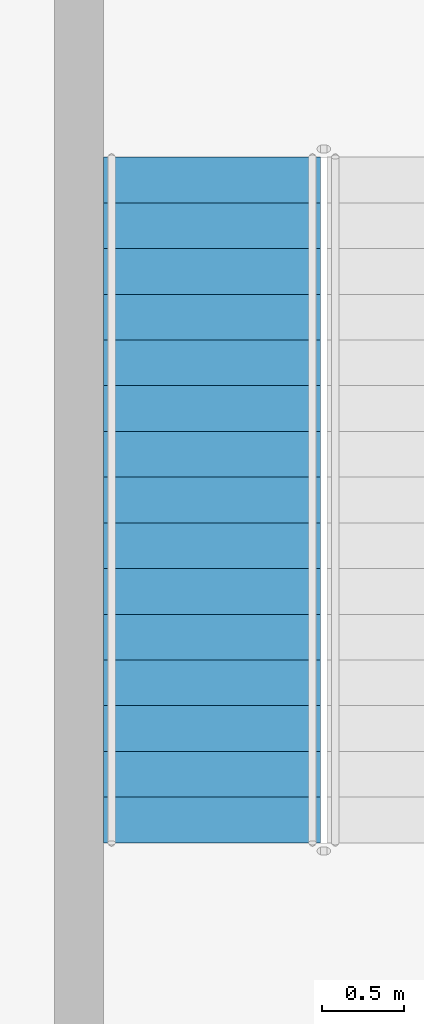
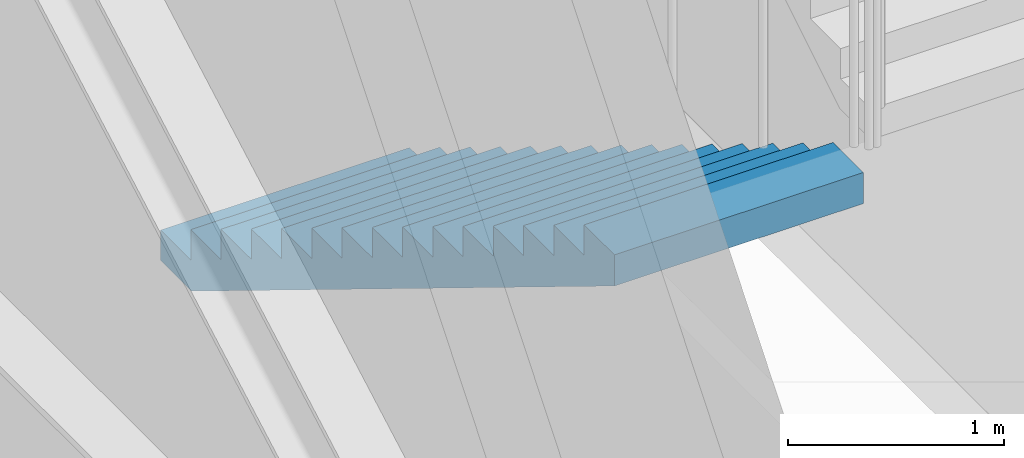
# One storey, part 8 of 18: 1 stair flight, 1 element without a shape of its own.
"""IFC4 building model written with IfcOpenShell, lengths in metres."""

from ifc_helpers import new_model, si_unit, direction, frame, origin, place, context, subcontext, project, spatial, triangles, source, transform, mapped, material, type_object, element, aggregate, save


model = new_model("IFC4")

# Units and contexts
model_context = context("Model", 3, precision=1e-05, world=origin(), true_north=direction((0.0, 1.0)))
body_context = subcontext(model_context, "Body", "Model", "MODEL_VIEW")
ifc_project = project(units=[si_unit("LENGTHUNIT", "METRE"), si_unit("AREAUNIT", "SQUARE_METRE"), si_unit("VOLUMEUNIT", "CUBIC_METRE"), si_unit("PLANEANGLEUNIT", "RADIAN"), si_unit("MASSUNIT", "GRAM", prefix="KILO")], contexts=[model_context])

# Site, building, storey
site_placement = place(None, origin())
site = spatial("IfcSite", under=ifc_project, at=site_placement, CompositionType="ELEMENT")
building_placement = place(site_placement, origin())
building = spatial("IfcBuilding", under=site, at=building_placement, Name="Ogive Portal Towers", CompositionType="ELEMENT")
storey_placement = place(building_placement, frame((0.0, 0.0, 190.300048828125)))
storey = spatial("IfcBuildingStorey", under=building, at=storey_placement, Name="L47", CompositionType="ELEMENT", Elevation=190.300048828125)

# Stair, stair flight
ifc_material = material(Name="Concrete C40/50", Category="concrete")
stair_type = type_object("IfcStairType", Name="INT-STAIR", PredefinedType="HALF_TURN_STAIR", material=ifc_material)
stair_placement = place(storey_placement, origin())
stair = element("IfcStair", 1, at=stair_placement, inside=storey, type_object=stair_type, Name="L47 Exit Stair ST-A4", PredefinedType="HALF_TURN_STAIR")
stair_flight_type = type_object("IfcStairFlightType", Name="INT-FLIGHT", PredefinedType="STRAIGHT", material=ifc_material)
shared_shape = source(origin(), body_context, "Body", "Tessellation", [
    triangles([(0.0, -0.6650390625, 0.0), (0.0, -0.384765625, 0.0), (0.0, -0.197021484375, 0.0), (0.0, -0.0830078125, 0.0), (0.0, -0.024658203125, 0.0), (0.0, -0.003173828125, 0.0), (0.0, 0.0, 0.0), (0.0, 0.003173828125, 0.0), (0.0, 0.024658203125, 0.0), (0.0, 0.0830078125, 0.0), (0.0, 0.197021484375, 0.0), (0.0, 0.384765625, 0.0), (0.0, 0.6650390625, 0.0), (0.0, -0.6650390625, 0.171875), (0.0, -0.384765625, 0.171875), (0.0, -0.197021484375, 0.171875), (0.0, -0.0830078125, 0.171875), (0.0, -0.024658203125, 0.171875), (0.0, -0.003173828125, 0.171875), (0.0, 0.0, 0.171875), (0.0, 0.003173828125, 0.171875), (0.0, 0.024658203125, 0.171875), (0.0, 0.0830078125, 0.171875), (0.0, 0.197021484375, 0.171875), (0.0, 0.384765625, 0.171875), (0.0, 0.6650390625, 0.171875), (0.280029296875, -0.6650390625, 0.171875), (0.280029296875, -0.384765625, 0.171875), (0.280029296875, -0.197021484375, 0.171875), (0.280029296875, -0.0830078125, 0.171875), (0.280029296875, -0.024658203125, 0.171875), (0.280029296875, -0.003173828125, 0.171875), (0.280029296875, 0.0, 0.171875), (0.280029296875, 0.003173828125, 0.171875), (0.280029296875, 0.024658203125, 0.171875), (0.280029296875, 0.0830078125, 0.171875), (0.280029296875, 0.197021484375, 0.171875), (0.280029296875, 0.384765625, 0.171875), (0.280029296875, 0.6650390625, 0.171875), (0.280029296875, -0.6650390625, 0.34375), (0.280029296875, -0.384765625, 0.34375), (0.280029296875, -0.197021484375, 0.34375), (0.280029296875, -0.0830078125, 0.34375), (0.280029296875, -0.024658203125, 0.34375), (0.280029296875, -0.003173828125, 0.34375), (0.280029296875, 0.0, 0.34375), (0.280029296875, 0.003173828125, 0.34375), (0.280029296875, 0.024658203125, 0.34375), (0.280029296875, 0.0830078125, 0.34375), (0.280029296875, 0.197021484375, 0.34375), (0.280029296875, 0.384765625, 0.34375), (0.280029296875, 0.6650390625, 0.34375), (0.56005859375, -0.6650390625, 0.34375), (0.56005859375, -0.384765625, 0.34375), (0.56005859375, -0.197021484375, 0.34375), (0.56005859375, -0.0830078125, 0.34375), (0.56005859375, -0.024658203125, 0.34375), (0.56005859375, -0.003173828125, 0.34375), (0.56005859375, 0.0, 0.34375), (0.56005859375, 0.003173828125, 0.34375), (0.56005859375, 0.024658203125, 0.34375), (0.56005859375, 0.0830078125, 0.34375), (0.56005859375, 0.197021484375, 0.34375), (0.56005859375, 0.384765625, 0.34375), (0.56005859375, 0.6650390625, 0.34375), (0.56005859375, -0.6650390625, 0.515625), (0.56005859375, -0.384765625, 0.515625), (0.56005859375, -0.197021484375, 0.515625), (0.56005859375, -0.0830078125, 0.515625), (0.56005859375, -0.024658203125, 0.515625), (0.56005859375, -0.003173828125, 0.515625), (0.56005859375, 0.0, 0.515625), (0.56005859375, 0.003173828125, 0.515625), (0.56005859375, 0.024658203125, 0.515625), (0.56005859375, 0.0830078125, 0.515625), (0.56005859375, 0.197021484375, 0.515625), (0.56005859375, 0.384765625, 0.515625), (0.56005859375, 0.6650390625, 0.515625), (0.840087890625, -0.6650390625, 0.515625), (0.840087890625, -0.384765625, 0.515625), (0.840087890625, -0.197021484375, 0.515625), (0.840087890625, -0.0830078125, 0.515625), (0.840087890625, -0.024658203125, 0.515625), (0.840087890625, -0.003173828125, 0.515625), (0.840087890625, 0.0, 0.515625), (0.840087890625, 0.003173828125, 0.515625), (0.840087890625, 0.024658203125, 0.515625), (0.840087890625, 0.0830078125, 0.515625), (0.840087890625, 0.197021484375, 0.515625), (0.840087890625, 0.384765625, 0.515625), (0.840087890625, 0.6650390625, 0.515625), (0.840087890625, -0.6650390625, 0.6875), (0.840087890625, -0.384765625, 0.6875), (0.840087890625, -0.197021484375, 0.6875), (0.840087890625, -0.0830078125, 0.6875), (0.840087890625, -0.024658203125, 0.6875), (0.840087890625, -0.003173828125, 0.6875), (0.840087890625, 0.0, 0.6875), (0.840087890625, 0.003173828125, 0.6875), (0.840087890625, 0.024658203125, 0.6875), (0.840087890625, 0.0830078125, 0.6875), (0.840087890625, 0.197021484375, 0.6875), (0.840087890625, 0.384765625, 0.6875), (0.840087890625, 0.6650390625, 0.6875), (1.1201171875, -0.6650390625, 0.6875), (1.1201171875, -0.384765625, 0.6875), (1.1201171875, -0.197021484375, 0.6875), (1.1201171875, -0.0830078125, 0.6875), (1.1201171875, -0.024658203125, 0.6875), (1.1201171875, -0.003173828125, 0.6875), (1.1201171875, 0.0, 0.6875), (1.1201171875, 0.003173828125, 0.6875), (1.1201171875, 0.024658203125, 0.6875), (1.1201171875, 0.0830078125, 0.6875), (1.1201171875, 0.197021484375, 0.6875), (1.1201171875, 0.384765625, 0.6875), (1.1201171875, 0.6650390625, 0.6875), (1.1201171875, -0.6650390625, 0.859375), (1.1201171875, -0.384765625, 0.859375), (1.1201171875, -0.197021484375, 0.859375), (1.1201171875, -0.0830078125, 0.859375), (1.1201171875, -0.024658203125, 0.859375), (1.1201171875, -0.003173828125, 0.859375), (1.1201171875, 0.0, 0.859375), (1.1201171875, 0.003173828125, 0.859375), (1.1201171875, 0.024658203125, 0.859375), (1.1201171875, 0.0830078125, 0.859375), (1.1201171875, 0.197021484375, 0.859375), (1.1201171875, 0.384765625, 0.859375), (1.1201171875, 0.6650390625, 0.859375), (1.39990234375, -0.6650390625, 0.859375), (1.39990234375, -0.384765625, 0.859375), (1.39990234375, -0.197021484375, 0.859375), (1.39990234375, -0.0830078125, 0.859375), (1.39990234375, -0.024658203125, 0.859375), (1.39990234375, -0.003173828125, 0.859375), (1.39990234375, 0.0, 0.859375), (1.39990234375, 0.003173828125, 0.859375), (1.39990234375, 0.024658203125, 0.859375), (1.39990234375, 0.0830078125, 0.859375), (1.39990234375, 0.197021484375, 0.859375), (1.39990234375, 0.384765625, 0.859375), (1.39990234375, 0.6650390625, 0.859375), (1.39990234375, -0.6650390625, 1.03125), (1.39990234375, -0.384765625, 1.03125), (1.39990234375, -0.197021484375, 1.03125), (1.39990234375, -0.0830078125, 1.03125), (1.39990234375, -0.024658203125, 1.03125), (1.39990234375, -0.003173828125, 1.03125), (1.39990234375, 0.0, 1.03125), (1.39990234375, 0.003173828125, 1.03125), (1.39990234375, 0.024658203125, 1.03125), (1.39990234375, 0.0830078125, 1.03125), (1.39990234375, 0.197021484375, 1.03125), (1.39990234375, 0.384765625, 1.03125), (1.39990234375, 0.6650390625, 1.03125), (1.679931640625, -0.6650390625, 1.03125), (1.679931640625, -0.384765625, 1.03125), (1.679931640625, -0.197021484375, 1.03125), (1.679931640625, -0.0830078125, 1.03125), (1.679931640625, -0.024658203125, 1.03125), (1.679931640625, -0.003173828125, 1.03125), (1.679931640625, 0.0, 1.03125), (1.679931640625, 0.003173828125, 1.03125), (1.679931640625, 0.024658203125, 1.03125), (1.679931640625, 0.0830078125, 1.03125), (1.679931640625, 0.197021484375, 1.03125), (1.679931640625, 0.384765625, 1.03125), (1.679931640625, 0.6650390625, 1.03125), (1.679931640625, -0.6650390625, 1.203125), (1.679931640625, -0.384765625, 1.203125), (1.679931640625, -0.197021484375, 1.203125), (1.679931640625, -0.0830078125, 1.203125), (1.679931640625, -0.024658203125, 1.203125), (1.679931640625, -0.003173828125, 1.203125), (1.679931640625, 0.0, 1.203125), (1.679931640625, 0.003173828125, 1.203125), (1.679931640625, 0.024658203125, 1.203125), (1.679931640625, 0.0830078125, 1.203125), (1.679931640625, 0.197021484375, 1.203125), (1.679931640625, 0.384765625, 1.203125), (1.679931640625, 0.6650390625, 1.203125), (1.9599609375, -0.6650390625, 1.203125), (1.9599609375, -0.384765625, 1.203125), (1.9599609375, -0.197021484375, 1.203125), (1.9599609375, -0.0830078125, 1.203125), (1.9599609375, -0.024658203125, 1.203125), (1.9599609375, -0.003173828125, 1.203125), (1.9599609375, 0.0, 1.203125), (1.9599609375, 0.003173828125, 1.203125), (1.9599609375, 0.024658203125, 1.203125), (1.9599609375, 0.0830078125, 1.203125), (1.9599609375, 0.197021484375, 1.203125), (1.9599609375, 0.384765625, 1.203125), (1.9599609375, 0.6650390625, 1.203125), (1.9599609375, -0.6650390625, 1.375), (1.9599609375, -0.384765625, 1.375), (1.9599609375, -0.197021484375, 1.375), (1.9599609375, -0.0830078125, 1.375), (1.9599609375, -0.024658203125, 1.375), (1.9599609375, -0.003173828125, 1.375), (1.9599609375, 0.0, 1.375), (1.9599609375, 0.003173828125, 1.375), (1.9599609375, 0.024658203125, 1.375), (1.9599609375, 0.0830078125, 1.375), (1.9599609375, 0.197021484375, 1.375), (1.9599609375, 0.384765625, 1.375), (1.9599609375, 0.6650390625, 1.375), (2.239990234375, -0.6650390625, 1.375), (2.239990234375, -0.384765625, 1.375), (2.239990234375, -0.197021484375, 1.375), (2.239990234375, -0.0830078125, 1.375), (2.239990234375, -0.024658203125, 1.375), (2.239990234375, -0.003173828125, 1.375), (2.239990234375, 0.0, 1.375), (2.239990234375, 0.003173828125, 1.375), (2.239990234375, 0.024658203125, 1.375), (2.239990234375, 0.0830078125, 1.375), (2.239990234375, 0.197021484375, 1.375), (2.239990234375, 0.384765625, 1.375), (2.239990234375, 0.6650390625, 1.375), (2.239990234375, -0.6650390625, 1.546875), (2.239990234375, -0.384765625, 1.546875), (2.239990234375, -0.197021484375, 1.546875), (2.239990234375, -0.0830078125, 1.546875), (2.239990234375, -0.024658203125, 1.546875), (2.239990234375, -0.003173828125, 1.546875), (2.239990234375, 0.0, 1.546875), (2.239990234375, 0.003173828125, 1.546875), (2.239990234375, 0.024658203125, 1.546875), (2.239990234375, 0.0830078125, 1.546875), (2.239990234375, 0.197021484375, 1.546875), (2.239990234375, 0.384765625, 1.546875), (2.239990234375, 0.6650390625, 1.546875), (2.52001953125, -0.6650390625, 1.546875), (2.52001953125, -0.384765625, 1.546875), (2.52001953125, -0.197021484375, 1.546875), (2.52001953125, -0.0830078125, 1.546875), (2.52001953125, -0.024658203125, 1.546875), (2.52001953125, -0.003173828125, 1.546875), (2.52001953125, 0.0, 1.546875), (2.52001953125, 0.003173828125, 1.546875), (2.52001953125, 0.024658203125, 1.546875), (2.52001953125, 0.0830078125, 1.546875), (2.52001953125, 0.197021484375, 1.546875), (2.52001953125, 0.384765625, 1.546875), (2.52001953125, 0.6650390625, 1.546875), (2.52001953125, -0.6650390625, 1.71875), (2.52001953125, -0.384765625, 1.71875), (2.52001953125, -0.197021484375, 1.71875), (2.52001953125, -0.0830078125, 1.71875), (2.52001953125, -0.024658203125, 1.71875), (2.52001953125, -0.003173828125, 1.71875), (2.52001953125, 0.0, 1.71875), (2.52001953125, 0.003173828125, 1.71875), (2.52001953125, 0.024658203125, 1.71875), (2.52001953125, 0.0830078125, 1.71875), (2.52001953125, 0.197021484375, 1.71875), (2.52001953125, 0.384765625, 1.71875), (2.52001953125, 0.6650390625, 1.71875), (2.800048828125, -0.6650390625, 1.71875), (2.800048828125, -0.384765625, 1.71875), (2.800048828125, -0.197021484375, 1.71875), (2.800048828125, -0.0830078125, 1.71875), (2.800048828125, -0.024658203125, 1.71875), (2.800048828125, -0.003173828125, 1.71875), (2.800048828125, 0.0, 1.71875), (2.800048828125, 0.003173828125, 1.71875), (2.800048828125, 0.024658203125, 1.71875), (2.800048828125, 0.0830078125, 1.71875), (2.800048828125, 0.197021484375, 1.71875), (2.800048828125, 0.384765625, 1.71875), (2.800048828125, 0.6650390625, 1.71875), (2.800048828125, -0.6650390625, 1.890625), (2.800048828125, -0.384765625, 1.890625), (2.800048828125, -0.197021484375, 1.890625), (2.800048828125, -0.0830078125, 1.890625), (2.800048828125, -0.024658203125, 1.890625), (2.800048828125, -0.003173828125, 1.890625), (2.800048828125, 0.0, 1.890625), (2.800048828125, 0.003173828125, 1.890625), (2.800048828125, 0.024658203125, 1.890625), (2.800048828125, 0.0830078125, 1.890625), (2.800048828125, 0.197021484375, 1.890625), (2.800048828125, 0.384765625, 1.890625), (2.800048828125, 0.6650390625, 1.890625), (3.080078125, -0.6650390625, 1.890625), (3.080078125, -0.384765625, 1.890625), (3.080078125, -0.197021484375, 1.890625), (3.080078125, -0.0830078125, 1.890625), (3.080078125, -0.024658203125, 1.890625), (3.080078125, -0.003173828125, 1.890625), (3.080078125, 0.0, 1.890625), (3.080078125, 0.003173828125, 1.890625), (3.080078125, 0.024658203125, 1.890625), (3.080078125, 0.0830078125, 1.890625), (3.080078125, 0.197021484375, 1.890625), (3.080078125, 0.384765625, 1.890625), (3.080078125, 0.6650390625, 1.890625), (3.080078125, -0.6650390625, 2.0625), (3.080078125, -0.384765625, 2.0625), (3.080078125, -0.197021484375, 2.0625), (3.080078125, -0.0830078125, 2.0625), (3.080078125, -0.024658203125, 2.0625), (3.080078125, -0.003173828125, 2.0625), (3.080078125, 0.0, 2.0625), (3.080078125, 0.003173828125, 2.0625), (3.080078125, 0.024658203125, 2.0625), (3.080078125, 0.0830078125, 2.0625), (3.080078125, 0.197021484375, 2.0625), (3.080078125, 0.384765625, 2.0625), (3.080078125, 0.6650390625, 2.0625), (3.360107421875, -0.6650390625, 2.0625), (3.360107421875, -0.384765625, 2.0625), (3.360107421875, -0.197021484375, 2.0625), (3.360107421875, -0.0830078125, 2.0625), (3.360107421875, -0.024658203125, 2.0625), (3.360107421875, -0.003173828125, 2.0625), (3.360107421875, 0.0, 2.0625), (3.360107421875, 0.003173828125, 2.0625), (3.360107421875, 0.024658203125, 2.0625), (3.360107421875, 0.0830078125, 2.0625), (3.360107421875, 0.197021484375, 2.0625), (3.360107421875, 0.384765625, 2.0625), (3.360107421875, 0.6650390625, 2.0625), (3.360107421875, -0.6650390625, 2.234375), (3.360107421875, -0.384765625, 2.234375), (3.360107421875, -0.197021484375, 2.234375), (3.360107421875, -0.0830078125, 2.234375), (3.360107421875, -0.024658203125, 2.234375), (3.360107421875, -0.003173828125, 2.234375), (3.360107421875, 0.0, 2.234375), (3.360107421875, 0.003173828125, 2.234375), (3.360107421875, 0.024658203125, 2.234375), (3.360107421875, 0.0830078125, 2.234375), (3.360107421875, 0.197021484375, 2.234375), (3.360107421875, 0.384765625, 2.234375), (3.360107421875, 0.6650390625, 2.234375), (3.639892578125, -0.6650390625, 2.234375), (3.639892578125, -0.384765625, 2.234375), (3.639892578125, -0.197021484375, 2.234375), (3.639892578125, -0.0830078125, 2.234375), (3.639892578125, -0.024658203125, 2.234375), (3.639892578125, -0.003173828125, 2.234375), (3.639892578125, 0.0, 2.234375), (3.639892578125, 0.003173828125, 2.234375), (3.639892578125, 0.024658203125, 2.234375), (3.639892578125, 0.0830078125, 2.234375), (3.639892578125, 0.197021484375, 2.234375), (3.639892578125, 0.384765625, 2.234375), (3.639892578125, 0.6650390625, 2.234375), (3.639892578125, -0.6650390625, 2.40625), (3.639892578125, -0.384765625, 2.40625), (3.639892578125, -0.197021484375, 2.40625), (3.639892578125, -0.0830078125, 2.40625), (3.639892578125, -0.024658203125, 2.40625), (3.639892578125, -0.003173828125, 2.40625), (3.639892578125, 0.0, 2.40625), (3.639892578125, 0.003173828125, 2.40625), (3.639892578125, 0.024658203125, 2.40625), (3.639892578125, 0.0830078125, 2.40625), (3.639892578125, 0.197021484375, 2.40625), (3.639892578125, 0.384765625, 2.40625), (3.639892578125, 0.6650390625, 2.40625), (3.919921875, -0.6650390625, 2.40625), (3.919921875, -0.384765625, 2.40625), (3.919921875, -0.197021484375, 2.40625), (3.919921875, -0.0830078125, 2.40625), (3.919921875, -0.024658203125, 2.40625), (3.919921875, -0.003173828125, 2.40625), (3.919921875, 0.0, 2.40625), (3.919921875, 0.003173828125, 2.40625), (3.919921875, 0.024658203125, 2.40625), (3.919921875, 0.0830078125, 2.40625), (3.919921875, 0.197021484375, 2.40625), (3.919921875, 0.384765625, 2.40625), (3.919921875, 0.6650390625, 2.40625), (3.919921875, -0.6650390625, 2.578125), (3.919921875, -0.384765625, 2.578125), (3.919921875, -0.197021484375, 2.578125), (3.919921875, -0.0830078125, 2.578125), (3.919921875, -0.024658203125, 2.578125), (3.919921875, -0.003173828125, 2.578125), (3.919921875, 0.0, 2.578125), (3.919921875, 0.003173828125, 2.578125), (3.919921875, 0.024658203125, 2.578125), (3.919921875, 0.0830078125, 2.578125), (3.919921875, 0.197021484375, 2.578125), (3.919921875, 0.384765625, 2.578125), (3.919921875, 0.6650390625, 2.578125), (4.199951171875, -0.6650390625, 2.578125), (4.199951171875, -0.384765625, 2.578125), (4.199951171875, -0.197021484375, 2.578125), (4.199951171875, -0.0830078125, 2.578125), (4.199951171875, -0.024658203125, 2.578125), (4.199951171875, -0.003173828125, 2.578125), (4.199951171875, 0.0, 2.578125), (4.199951171875, 0.003173828125, 2.578125), (4.199951171875, 0.024658203125, 2.578125), (4.199951171875, 0.0830078125, 2.578125), (4.199951171875, 0.197021484375, 2.578125), (4.199951171875, 0.384765625, 2.578125), (4.199951171875, 0.6650390625, 2.578125), (4.199951171875, -0.6650390625, 2.40234375), (4.199951171875, -0.384765625, 2.40234375), (4.199951171875, -0.197021484375, 2.40234375), (4.199951171875, -0.0830078125, 2.40234375), (4.199951171875, -0.024658203125, 2.40234375), (4.199951171875, -0.003173828125, 2.40234375), (4.199951171875, 0.0, 2.40234375), (4.199951171875, 0.003173828125, 2.40234375), (4.199951171875, 0.024658203125, 2.40234375), (4.199951171875, 0.0830078125, 2.40234375), (4.199951171875, 0.197021484375, 2.40234375), (4.199951171875, 0.384765625, 2.40234375), (4.199951171875, 0.6650390625, 2.40234375), (0.28662109375, -0.6650390625, 0.0), (0.28662109375, -0.384765625, 0.0), (0.28662109375, -0.197021484375, 0.0), (0.28662109375, -0.0830078125, 0.0), (0.28662109375, -0.024658203125, 0.0), (0.28662109375, -0.003173828125, 0.0), (0.28662109375, 0.0, 0.0), (0.28662109375, 0.003173828125, 0.0), (0.28662109375, 0.024658203125, 0.0), (0.28662109375, 0.0830078125, 0.0), (0.28662109375, 0.197021484375, 0.0), (0.28662109375, 0.384765625, 0.0), (0.28662109375, 0.6650390625, 0.0)], [[1, 14, 15], [1, 15, 2], [2, 15, 16], [2, 16, 3], [3, 16, 17], [3, 17, 4], [4, 17, 18], [4, 18, 5], [5, 18, 19], [5, 19, 6], [6, 19, 20], [6, 20, 7], [7, 20, 21], [7, 21, 8], [8, 21, 22], [8, 22, 9], [9, 22, 23], [9, 23, 10], [10, 23, 24], [10, 24, 11], [11, 24, 25], [11, 25, 12], [12, 25, 26], [12, 26, 13], [14, 27, 28], [14, 28, 15], [15, 28, 29], [15, 29, 16], [16, 29, 30], [16, 30, 17], [17, 30, 31], [17, 31, 18], [18, 31, 32], [18, 32, 19], [19, 32, 33], [19, 33, 20], [20, 33, 34], [20, 34, 21], [21, 34, 35], [21, 35, 22], [22, 35, 36], [22, 36, 23], [23, 36, 37], [23, 37, 24], [24, 37, 38], [24, 38, 25], [25, 38, 39], [25, 39, 26], [27, 40, 41], [27, 41, 28], [28, 41, 42], [28, 42, 29], [29, 42, 43], [29, 43, 30], [30, 43, 44], [30, 44, 31], [31, 44, 45], [31, 45, 32], [32, 45, 46], [32, 46, 33], [33, 46, 47], [33, 47, 34], [34, 47, 48], [34, 48, 35], [35, 48, 49], [35, 49, 36], [36, 49, 50], [36, 50, 37], [37, 50, 51], [37, 51, 38], [38, 51, 52], [38, 52, 39], [40, 53, 54], [40, 54, 41], [41, 54, 55], [41, 55, 42], [42, 55, 56], [42, 56, 43], [43, 56, 57], [43, 57, 44], [44, 57, 58], [44, 58, 45], [45, 58, 59], [45, 59, 46], [46, 59, 60], [46, 60, 47], [47, 60, 61], [47, 61, 48], [48, 61, 62], [48, 62, 49], [49, 62, 63], [49, 63, 50], [50, 63, 64], [50, 64, 51], [51, 64, 65], [51, 65, 52], [53, 66, 67], [53, 67, 54], [54, 67, 68], [54, 68, 55], [55, 68, 69], [55, 69, 56], [56, 69, 70], [56, 70, 57], [57, 70, 71], [57, 71, 58], [58, 71, 72], [58, 72, 59], [59, 72, 73], [59, 73, 60], [60, 73, 74], [60, 74, 61], [61, 74, 75], [61, 75, 62], [62, 75, 76], [62, 76, 63], [63, 76, 77], [63, 77, 64], [64, 77, 78], [64, 78, 65], [66, 79, 80], [66, 80, 67], [67, 80, 81], [67, 81, 68], [68, 81, 82], [68, 82, 69], [69, 82, 83], [69, 83, 70], [70, 83, 84], [70, 84, 71], [71, 84, 85], [71, 85, 72], [72, 85, 86], [72, 86, 73], [73, 86, 87], [73, 87, 74], [74, 87, 88], [74, 88, 75], [75, 88, 89], [75, 89, 76], [76, 89, 90], [76, 90, 77], [77, 90, 91], [77, 91, 78], [79, 92, 93], [79, 93, 80], [80, 93, 94], [80, 94, 81], [81, 94, 95], [81, 95, 82], [82, 95, 96], [82, 96, 83], [83, 96, 97], [83, 97, 84], [84, 97, 98], [84, 98, 85], [85, 98, 99], [85, 99, 86], [86, 99, 100], [86, 100, 87], [87, 100, 101], [87, 101, 88], [88, 101, 102], [88, 102, 89], [89, 102, 103], [89, 103, 90], [90, 103, 104], [90, 104, 91], [92, 105, 106], [92, 106, 93], [93, 106, 107], [93, 107, 94], [94, 107, 108], [94, 108, 95], [95, 108, 109], [95, 109, 96], [96, 109, 110], [96, 110, 97], [97, 110, 111], [97, 111, 98], [98, 111, 112], [98, 112, 99], [99, 112, 113], [99, 113, 100], [100, 113, 114], [100, 114, 101], [101, 114, 115], [101, 115, 102], [102, 115, 116], [102, 116, 103], [103, 116, 117], [103, 117, 104], [105, 118, 119], [105, 119, 106], [106, 119, 120], [106, 120, 107], [107, 120, 121], [107, 121, 108], [108, 121, 122], [108, 122, 109], [109, 122, 123], [109, 123, 110], [110, 123, 124], [110, 124, 111], [111, 124, 125], [111, 125, 112], [112, 125, 126], [112, 126, 113], [113, 126, 127], [113, 127, 114], [114, 127, 128], [114, 128, 115], [115, 128, 129], [115, 129, 116], [116, 129, 130], [116, 130, 117], [118, 131, 132], [118, 132, 119], [119, 132, 133], [119, 133, 120], [120, 133, 134], [120, 134, 121], [121, 134, 135], [121, 135, 122], [122, 135, 136], [122, 136, 123], [123, 136, 137], [123, 137, 124], [124, 137, 138], [124, 138, 125], [125, 138, 139], [125, 139, 126], [126, 139, 140], [126, 140, 127], [127, 140, 141], [127, 141, 128], [128, 141, 142], [128, 142, 129], [129, 142, 143], [129, 143, 130], [131, 144, 145], [131, 145, 132], [132, 145, 146], [132, 146, 133], [133, 146, 147], [133, 147, 134], [134, 147, 148], [134, 148, 135], [135, 148, 149], [135, 149, 136], [136, 149, 150], [136, 150, 137], [137, 150, 151], [137, 151, 138], [138, 151, 152], [138, 152, 139], [139, 152, 153], [139, 153, 140], [140, 153, 154], [140, 154, 141], [141, 154, 155], [141, 155, 142], [142, 155, 156], [142, 156, 143], [144, 157, 158], [144, 158, 145], [145, 158, 159], [145, 159, 146], [146, 159, 160], [146, 160, 147], [147, 160, 161], [147, 161, 148], [148, 161, 162], [148, 162, 149], [149, 162, 163], [149, 163, 150], [150, 163, 164], [150, 164, 151], [151, 164, 165], [151, 165, 152], [152, 165, 166], [152, 166, 153], [153, 166, 167], [153, 167, 154], [154, 167, 168], [154, 168, 155], [155, 168, 169], [155, 169, 156], [157, 170, 171], [157, 171, 158], [158, 171, 172], [158, 172, 159], [159, 172, 173], [159, 173, 160], [160, 173, 174], [160, 174, 161], [161, 174, 175], [161, 175, 162], [162, 175, 176], [162, 176, 163], [163, 176, 177], [163, 177, 164], [164, 177, 178], [164, 178, 165], [165, 178, 179], [165, 179, 166], [166, 179, 180], [166, 180, 167], [167, 180, 181], [167, 181, 168], [168, 181, 182], [168, 182, 169], [170, 183, 184], [170, 184, 171], [171, 184, 185], [171, 185, 172], [172, 185, 186], [172, 186, 173], [173, 186, 187], [173, 187, 174], [174, 187, 188], [174, 188, 175], [175, 188, 189], [175, 189, 176], [176, 189, 190], [176, 190, 177], [177, 190, 191], [177, 191, 178], [178, 191, 192], [178, 192, 179], [179, 192, 193], [179, 193, 180], [180, 193, 194], [180, 194, 181], [181, 194, 195], [181, 195, 182], [183, 196, 197], [183, 197, 184], [184, 197, 198], [184, 198, 185], [185, 198, 199], [185, 199, 186], [186, 199, 200], [186, 200, 187], [187, 200, 201], [187, 201, 188], [188, 201, 202], [188, 202, 189], [189, 202, 203], [189, 203, 190], [190, 203, 204], [190, 204, 191], [191, 204, 205], [191, 205, 192], [192, 205, 206], [192, 206, 193], [193, 206, 207], [193, 207, 194], [194, 207, 208], [194, 208, 195], [196, 209, 210], [196, 210, 197], [197, 210, 211], [197, 211, 198], [198, 211, 212], [198, 212, 199], [199, 212, 213], [199, 213, 200], [200, 213, 214], [200, 214, 201], [201, 214, 215], [201, 215, 202], [202, 215, 216], [202, 216, 203], [203, 216, 217], [203, 217, 204], [204, 217, 218], [204, 218, 205], [205, 218, 219], [205, 219, 206], [206, 219, 220], [206, 220, 207], [207, 220, 221], [207, 221, 208], [209, 222, 223], [209, 223, 210], [210, 223, 224], [210, 224, 211], [211, 224, 225], [211, 225, 212], [212, 225, 226], [212, 226, 213], [213, 226, 227], [213, 227, 214], [214, 227, 228], [214, 228, 215], [215, 228, 229], [215, 229, 216], [216, 229, 230], [216, 230, 217], [217, 230, 231], [217, 231, 218], [218, 231, 232], [218, 232, 219], [219, 232, 233], [219, 233, 220], [220, 233, 234], [220, 234, 221], [222, 235, 236], [222, 236, 223], [223, 236, 237], [223, 237, 224], [224, 237, 238], [224, 238, 225], [225, 238, 239], [225, 239, 226], [226, 239, 240], [226, 240, 227], [227, 240, 241], [227, 241, 228], [228, 241, 242], [228, 242, 229], [229, 242, 243], [229, 243, 230], [230, 243, 244], [230, 244, 231], [231, 244, 245], [231, 245, 232], [232, 245, 246], [232, 246, 233], [233, 246, 247], [233, 247, 234], [235, 248, 249], [235, 249, 236], [236, 249, 250], [236, 250, 237], [237, 250, 251], [237, 251, 238], [238, 251, 252], [238, 252, 239], [239, 252, 253], [239, 253, 240], [240, 253, 254], [240, 254, 241], [241, 254, 255], [241, 255, 242], [242, 255, 256], [242, 256, 243], [243, 256, 257], [243, 257, 244], [244, 257, 258], [244, 258, 245], [245, 258, 259], [245, 259, 246], [246, 259, 260], [246, 260, 247], [248, 261, 262], [248, 262, 249], [249, 262, 263], [249, 263, 250], [250, 263, 264], [250, 264, 251], [251, 264, 265], [251, 265, 252], [252, 265, 266], [252, 266, 253], [253, 266, 267], [253, 267, 254], [254, 267, 268], [254, 268, 255], [255, 268, 269], [255, 269, 256], [256, 269, 270], [256, 270, 257], [257, 270, 271], [257, 271, 258], [258, 271, 272], [258, 272, 259], [259, 272, 273], [259, 273, 260], [261, 274, 275], [261, 275, 262], [262, 275, 276], [262, 276, 263], [263, 276, 277], [263, 277, 264], [264, 277, 278], [264, 278, 265], [265, 278, 279], [265, 279, 266], [266, 279, 280], [266, 280, 267], [267, 280, 281], [267, 281, 268], [268, 281, 282], [268, 282, 269], [269, 282, 283], [269, 283, 270], [270, 283, 284], [270, 284, 271], [271, 284, 285], [271, 285, 272], [272, 285, 286], [272, 286, 273], [274, 287, 288], [274, 288, 275], [275, 288, 289], [275, 289, 276], [276, 289, 290], [276, 290, 277], [277, 290, 291], [277, 291, 278], [278, 291, 292], [278, 292, 279], [279, 292, 293], [279, 293, 280], [280, 293, 294], [280, 294, 281], [281, 294, 295], [281, 295, 282], [282, 295, 296], [282, 296, 283], [283, 296, 297], [283, 297, 284], [284, 297, 298], [284, 298, 285], [285, 298, 299], [285, 299, 286], [287, 300, 301], [287, 301, 288], [288, 301, 302], [288, 302, 289], [289, 302, 303], [289, 303, 290], [290, 303, 304], [290, 304, 291], [291, 304, 305], [291, 305, 292], [292, 305, 306], [292, 306, 293], [293, 306, 307], [293, 307, 294], [294, 307, 308], [294, 308, 295], [295, 308, 309], [295, 309, 296], [296, 309, 310], [296, 310, 297], [297, 310, 311], [297, 311, 298], [298, 311, 312], [298, 312, 299], [300, 313, 314], [300, 314, 301], [301, 314, 315], [301, 315, 302], [302, 315, 316], [302, 316, 303], [303, 316, 317], [303, 317, 304], [304, 317, 318], [304, 318, 305], [305, 318, 319], [305, 319, 306], [306, 319, 320], [306, 320, 307], [307, 320, 321], [307, 321, 308], [308, 321, 322], [308, 322, 309], [309, 322, 323], [309, 323, 310], [310, 323, 324], [310, 324, 311], [311, 324, 325], [311, 325, 312], [313, 326, 327], [313, 327, 314], [314, 327, 328], [314, 328, 315], [315, 328, 329], [315, 329, 316], [316, 329, 330], [316, 330, 317], [317, 330, 331], [317, 331, 318], [318, 331, 332], [318, 332, 319], [319, 332, 333], [319, 333, 320], [320, 333, 334], [320, 334, 321], [321, 334, 335], [321, 335, 322], [322, 335, 336], [322, 336, 323], [323, 336, 337], [323, 337, 324], [324, 337, 338], [324, 338, 325], [326, 339, 340], [326, 340, 327], [327, 340, 341], [327, 341, 328], [328, 341, 342], [328, 342, 329], [329, 342, 343], [329, 343, 330], [330, 343, 344], [330, 344, 331], [331, 344, 345], [331, 345, 332], [332, 345, 346], [332, 346, 333], [333, 346, 347], [333, 347, 334], [334, 347, 348], [334, 348, 335], [335, 348, 349], [335, 349, 336], [336, 349, 350], [336, 350, 337], [337, 350, 351], [337, 351, 338], [339, 352, 353], [339, 353, 340], [340, 353, 354], [340, 354, 341], [341, 354, 355], [341, 355, 342], [342, 355, 356], [342, 356, 343], [343, 356, 357], [343, 357, 344], [344, 357, 358], [344, 358, 345], [345, 358, 359], [345, 359, 346], [346, 359, 360], [346, 360, 347], [347, 360, 361], [347, 361, 348], [348, 361, 362], [348, 362, 349], [349, 362, 363], [349, 363, 350], [350, 363, 364], [350, 364, 351], [352, 365, 366], [352, 366, 353], [353, 366, 367], [353, 367, 354], [354, 367, 368], [354, 368, 355], [355, 368, 369], [355, 369, 356], [356, 369, 370], [356, 370, 357], [357, 370, 371], [357, 371, 358], [358, 371, 372], [358, 372, 359], [359, 372, 373], [359, 373, 360], [360, 373, 374], [360, 374, 361], [361, 374, 375], [361, 375, 362], [362, 375, 376], [362, 376, 363], [363, 376, 377], [363, 377, 364], [365, 378, 379], [365, 379, 366], [366, 379, 380], [366, 380, 367], [367, 380, 381], [367, 381, 368], [368, 381, 382], [368, 382, 369], [369, 382, 383], [369, 383, 370], [370, 383, 384], [370, 384, 371], [371, 384, 385], [371, 385, 372], [372, 385, 386], [372, 386, 373], [373, 386, 387], [373, 387, 374], [374, 387, 388], [374, 388, 375], [375, 388, 389], [375, 389, 376], [376, 389, 390], [376, 390, 377], [378, 391, 392], [378, 392, 379], [379, 392, 393], [379, 393, 380], [380, 393, 394], [380, 394, 381], [381, 394, 395], [381, 395, 382], [382, 395, 396], [382, 396, 383], [383, 396, 397], [383, 397, 384], [384, 397, 398], [384, 398, 385], [385, 398, 399], [385, 399, 386], [386, 399, 400], [386, 400, 387], [387, 400, 401], [387, 401, 388], [388, 401, 402], [388, 402, 389], [389, 402, 403], [389, 403, 390], [391, 404, 405], [391, 405, 392], [392, 405, 406], [392, 406, 393], [393, 406, 407], [393, 407, 394], [394, 407, 408], [394, 408, 395], [395, 408, 409], [395, 409, 396], [396, 409, 410], [396, 410, 397], [397, 410, 411], [397, 411, 398], [398, 411, 412], [398, 412, 399], [399, 412, 413], [399, 413, 400], [400, 413, 414], [400, 414, 401], [401, 414, 415], [401, 415, 402], [402, 415, 416], [402, 416, 403], [404, 417, 418], [404, 418, 405], [405, 418, 419], [405, 419, 406], [406, 419, 420], [406, 420, 407], [407, 420, 421], [407, 421, 408], [408, 421, 422], [408, 422, 409], [409, 422, 423], [409, 423, 410], [410, 423, 424], [410, 424, 411], [411, 424, 425], [411, 425, 412], [412, 425, 426], [412, 426, 413], [413, 426, 427], [413, 427, 414], [414, 427, 428], [414, 428, 415], [415, 428, 429], [415, 429, 416], [417, 1, 2], [417, 2, 418], [418, 2, 3], [418, 3, 419], [419, 3, 4], [419, 4, 420], [420, 4, 5], [420, 5, 421], [421, 5, 6], [421, 6, 422], [422, 6, 7], [422, 7, 423], [423, 7, 8], [423, 8, 424], [424, 8, 9], [424, 9, 425], [425, 9, 10], [425, 10, 426], [426, 10, 11], [426, 11, 427], [427, 11, 12], [427, 12, 428], [428, 12, 13], [428, 13, 429], [1, 417, 404], [13, 416, 429], [404, 391, 378], [416, 390, 403], [404, 378, 365], [416, 377, 390], [404, 365, 352], [416, 364, 377], [404, 352, 339], [416, 351, 364], [339, 326, 313], [351, 325, 338], [404, 339, 313], [416, 325, 351], [313, 300, 287], [325, 299, 312], [404, 313, 287], [416, 299, 325], [287, 274, 261], [299, 273, 286], [404, 287, 261], [416, 273, 299], [261, 248, 235], [273, 247, 260], [404, 261, 235], [416, 247, 273], [235, 222, 209], [247, 221, 234], [404, 235, 209], [416, 221, 247], [209, 196, 183], [221, 195, 208], [404, 209, 183], [416, 195, 221], [183, 170, 157], [195, 169, 182], [404, 183, 157], [416, 169, 195], [157, 144, 131], [169, 143, 156], [404, 157, 131], [416, 143, 169], [131, 118, 105], [143, 117, 130], [404, 131, 105], [416, 117, 143], [105, 92, 79], [117, 91, 104], [404, 105, 79], [416, 91, 117], [79, 66, 53], [91, 65, 78], [404, 79, 53], [416, 65, 91], [53, 40, 27], [65, 39, 52], [404, 53, 27], [416, 39, 65], [1, 404, 27], [13, 39, 416], [27, 14, 1], [39, 13, 26]], closed=True),
])
stair_flight_placement = place(storey_placement, frame((87.6650390625, 29.169921875, 0.0), z_axis=(0.0, 0.0, 1.0), x_axis=(0.0, -1.0, 0.0)))
stair_flight = element("IfcStairFlight", 2, at=stair_flight_placement, type_object=stair_flight_type, Name="ST-A4 flight 1", NumberOfRisers=16, NumberOfTreads=15, PredefinedType="STRAIGHT", RiserHeight=0.171875, TreadLength=0.28, context=body_context, shape_type="MappedRepresentation", body=[
    mapped(shared_shape, transform((0.0, 0.0, 0.0), scale=1.0)),
])
aggregate(stair, [stair_flight])

save(model, "model.ifc")
